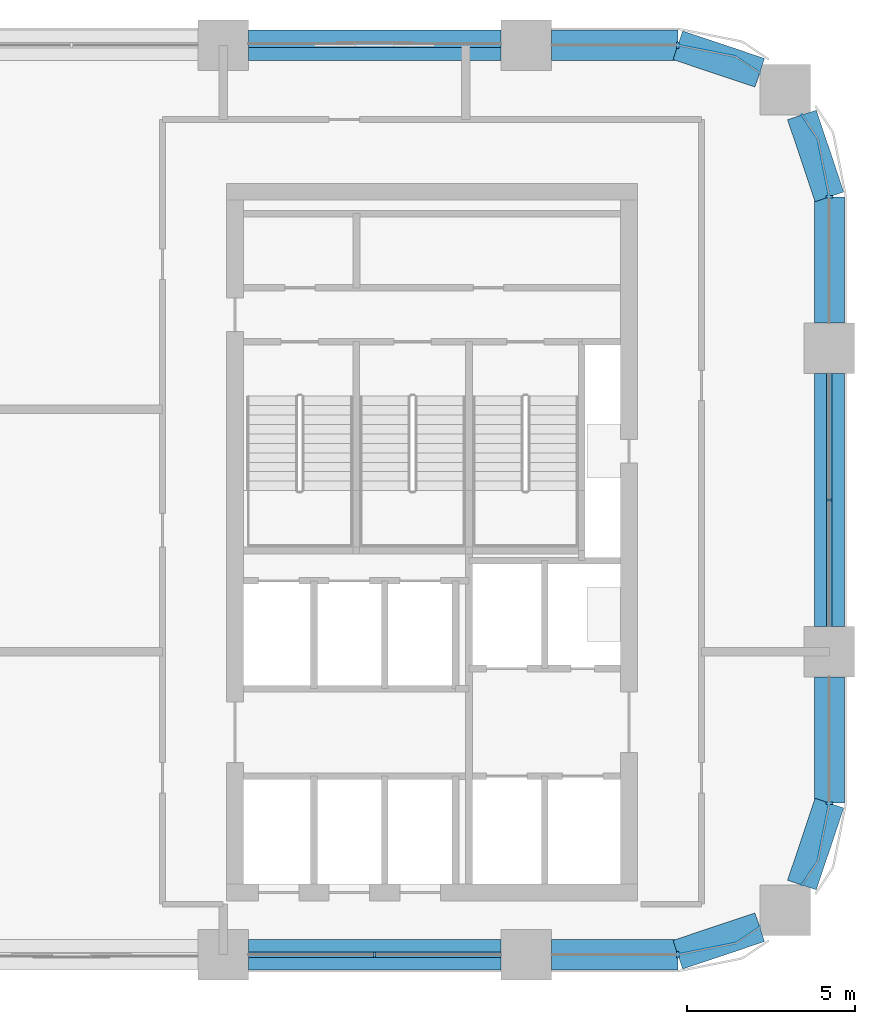
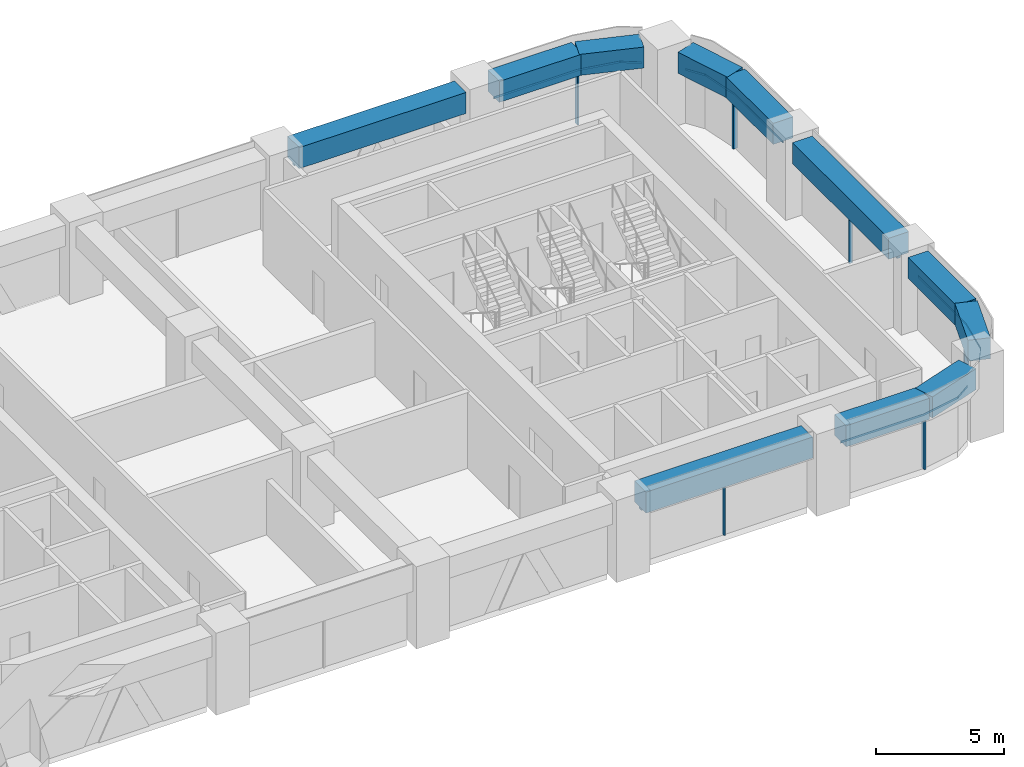
# One storey, part 5 of 18: 13 members, 11 beams, 7 elements without a shape of their own.
"""IFC4 building model written with IfcOpenShell, lengths in metres."""

import ifcopenshell
import ifcopenshell.guid

model = None  # the IFC model being written
_history = None  # IfcOwnerHistory: only IFC2X3 demands one
_inside = {}  # id of a spatial element -> (the spatial element, [elements in it])
_under = {}  # id of a project, library or spatial element -> (it, [spatial elements below it])
_declared = {}  # id of a project -> (the project, [libraries it declares])
_typed = {}  # id of a type object -> (the type object, [elements of that type])
_made_of = {}  # id of a material, layer set ... -> (it, [elements and type objects made of it])


def new_model(schema):
    """Start an empty IFC model of exactly this schema.

    Asked for "IFC4X3", IfcOpenShell would pick the latest addendum, in which some entities
    have other attributes; the version numbers below select the first issue.
    IFC2X3 requires an IfcOwnerHistory on every rooted entity: one is made here for all.
    """
    global model, _history
    if schema == "IFC4X3":
        model = ifcopenshell.file(schema_version=(4, 3, 0, 0))
    else:
        model = ifcopenshell.file(schema=schema)
    _inside.clear()
    _under.clear()
    _declared.clear()
    _typed.clear()
    _made_of.clear()
    _history = None
    if model.schema == "IFC2X3":
        org = make("IfcOrganization", Name="unknown")
        user = make(
            "IfcPersonAndOrganization",
            ThePerson=make("IfcPerson", FamilyName="unknown"),
            TheOrganization=org,
        )
        app = make(
            "IfcApplication",
            ApplicationDeveloper=org,
            Version="unknown",
            ApplicationFullName="unknown",
            ApplicationIdentifier="unknown",
        )
        _history = make(
            "IfcOwnerHistory",
            OwningUser=user,
            OwningApplication=app,
            ChangeAction="ADDED",
            CreationDate=0,
        )
    return model


def make(cls, **values):
    """One entity of the class cls with the attributes given. An attribute that is None is left unset."""
    return model.create_entity(
        cls, **{name: value for name, value in values.items() if value is not None}
    )


def rooted(cls, **values):
    """An entity with a GlobalId (a new one), such as an element, a storey or a relation."""
    return make(cls, GlobalId=ifcopenshell.guid.new(), OwnerHistory=_history, **values)


def si_unit(unit_type, name, prefix=None):
    """IfcSIUnit, for example si_unit("LENGTHUNIT", "METRE", prefix="MILLI")."""
    return make("IfcSIUnit", UnitType=unit_type, Prefix=prefix, Name=name)


def assignment(units):
    """IfcUnitAssignment: the units of a project."""
    return None if units is None else make("IfcUnitAssignment", Units=units)


def point(xyz):
    """IfcCartesianPoint."""
    return None if xyz is None else make("IfcCartesianPoint", Coordinates=xyz)


def direction(xyz):
    """IfcDirection."""
    return None if xyz is None else make("IfcDirection", DirectionRatios=xyz)


def frame(location, z_axis=None, x_axis=None):
    """IfcAxis2Placement3D, a coordinate frame: its origin and axes. An axis left out is left unset."""
    return make(
        "IfcAxis2Placement3D",
        Location=point(location),
        Axis=direction(z_axis),
        RefDirection=direction(x_axis),
    )


def frame_2d(location, x_axis=None):
    """IfcAxis2Placement2D, a coordinate frame in the plane: its origin and x axis."""
    return make(
        "IfcAxis2Placement2D", Location=point(location), RefDirection=direction(x_axis)
    )


def origin():
    """The frame at (0, 0, 0) with its axes left unset."""
    return frame((0.0, 0.0, 0.0))


def origin_2d():
    """The frame at (0, 0) in the plane with its x axis left unset."""
    return frame_2d((0.0, 0.0))


def place(relative_to, where):
    """IfcLocalPlacement: puts the frame where relative to a parent placement (None: the world)."""
    return make(
        "IfcLocalPlacement", PlacementRelTo=relative_to, RelativePlacement=where
    )


def context(
    kind, dimensions, precision=None, world=None, true_north=None, identifier=None
):
    """IfcGeometricRepresentationContext, for example the 3D "Model" context."""
    return make(
        "IfcGeometricRepresentationContext",
        ContextIdentifier=identifier,
        ContextType=kind,
        CoordinateSpaceDimension=dimensions,
        Precision=precision,
        WorldCoordinateSystem=world,
        TrueNorth=true_north,
    )


def subcontext(parent, identifier, kind, view, scale=None):
    """IfcGeometricRepresentationSubContext, for example "Body" below "Model"."""
    return make(
        "IfcGeometricRepresentationSubContext",
        ContextIdentifier=identifier,
        ContextType=kind,
        ParentContext=parent,
        TargetScale=scale,
        TargetView=view,
    )


def project(units=None, contexts=None):
    """IfcProject with its units and contexts."""
    return rooted(
        "IfcProject",
        Name="project",
        RepresentationContexts=contexts,
        UnitsInContext=assignment(units),
    )


def spatial(cls, under=None, at=None, **own):
    """A site, building, storey or space (cls), placed at a placement, below another one or the project."""
    s = rooted(cls, ObjectPlacement=at, **own)
    if under is not None:
        _under.setdefault(under.id(), (under, []))[1].append(s)
    return s


def polyline(points):
    """IfcPolyline through the points."""
    return make("IfcPolyline", Points=[point(p) for p in points])


def profile(cls, at=None, kind="AREA", **sizes):
    """A parametric profile (cls). Its sizes go by their IFC names, for example OverallWidth=200.0."""
    return make(cls, ProfileType=kind, Position=at, **sizes)


def rectangle(**sizes):
    """IfcRectangleProfileDef."""
    return profile("IfcRectangleProfileDef", **sizes)


def outline(outer, holes=None, kind="AREA"):
    """IfcArbitraryClosedProfileDef: a profile drawn as a closed curve; with holes, ...WithVoids."""
    if holes is None:
        return make("IfcArbitraryClosedProfileDef", ProfileType=kind, OuterCurve=outer)
    return make(
        "IfcArbitraryProfileDefWithVoids",
        ProfileType=kind,
        OuterCurve=outer,
        InnerCurves=holes,
    )


def extrude(swept, where, along, depth):
    """IfcExtrudedAreaSolid: the profile swept, set in the frame where, extruded along a direction by depth."""
    return make(
        "IfcExtrudedAreaSolid",
        SweptArea=swept,
        Position=where,
        ExtrudedDirection=direction(along),
        Depth=depth,
    )


def shape(context_of_items, identifier, shape_type, items):
    """IfcShapeRepresentation: the items that make up one representation, for example the "Body"."""
    return make(
        "IfcShapeRepresentation",
        ContextOfItems=context_of_items,
        RepresentationIdentifier=identifier,
        RepresentationType=shape_type,
        Items=items,
    )


def material(Name=None, Category=None):
    """IfcMaterial."""
    return make("IfcMaterial", Name=Name, Category=Category)


def material_profile(
    of_material, cross_section, Name=None, Category=None, Priority=None
):
    """IfcMaterialProfile: a cross section and its material."""
    return make(
        "IfcMaterialProfile",
        Name=Name,
        Material=of_material,
        Profile=cross_section,
        Priority=Priority,
        Category=Category,
    )


def profile_set(profiles, Name=None, composite=None):
    """IfcMaterialProfileSet."""
    return make(
        "IfcMaterialProfileSet",
        Name=Name,
        MaterialProfiles=profiles,
        CompositeProfile=composite,
    )


def made_of(thing, what):
    """Note that an element or type object is made of a material, layer set ...; save() writes the relation."""
    if what is not None:
        _made_of.setdefault(what.id(), (what, []))[1].append(thing)
    return thing


def type_object(cls, material=None, **own):
    """A type object (cls), such as IfcWallType, which elements share."""
    return made_of(rooted(cls, **own), material)


def element(
    cls,
    number,
    at=None,
    inside=None,
    cuts=None,
    type_object=None,
    material=None,
    context=None,
    identifier="Body",
    shape_type=None,
    held_by="IfcProductDefinitionShape",
    body=None,
    shapes=None,
    **own,
):
    """One element of the class cls, such as IfcWall. Its Tag is "e" and its number.

    at: its placement. inside: the storey or other place that contains it. cuts: it is an
    opening in that element (IfcRelVoidsElement). A single representation is given by context,
    identifier, shape_type and body (its items); several are given by shapes. held_by: the class
    of the entity that holds the representations. save() writes the other relations.
    """
    e = rooted(cls, Tag="e%d" % number, ObjectPlacement=at, **own)
    if body is not None:
        shapes = [shape(context, identifier, shape_type, body)]
    if shapes is not None:
        e.Representation = make(held_by, Representations=shapes)
    if inside is not None:
        _inside.setdefault(inside.id(), (inside, []))[1].append(e)
    if cuts is not None:
        rooted(
            "IfcRelVoidsElement", RelatingBuildingElement=cuts, RelatedOpeningElement=e
        )
    if type_object is not None:
        _typed.setdefault(type_object.id(), (type_object, []))[1].append(e)
    return made_of(e, material)


def aggregate(whole, parts):
    """IfcRelAggregates: a whole, such as a stair, and the parts it consists of."""
    return rooted("IfcRelAggregates", RelatingObject=whole, RelatedObjects=parts)


def save(model, path):
    """Write the relations noted so far, then the file.

    IfcRelAggregates (storeys below a building ...), IfcRelContainedInSpatialStructure (elements
    in a storey), IfcRelDefinesByType, IfcRelAssociatesMaterial and IfcRelDeclares: one each for
    every whole, place, type object, material and project.
    """
    for whole, parts in _under.values():
        aggregate(whole, parts)
    for where, things in _inside.values():
        rooted(
            "IfcRelContainedInSpatialStructure",
            RelatedElements=things,
            RelatingStructure=where,
        )
    for kind, things in _typed.values():
        rooted("IfcRelDefinesByType", RelatedObjects=things, RelatingType=kind)
    for what, things in _made_of.values():
        rooted("IfcRelAssociatesMaterial", RelatedObjects=things, RelatingMaterial=what)
    for by, libraries in _declared.values():
        rooted("IfcRelDeclares", RelatingContext=by, RelatedDefinitions=libraries)
    model.write(path)


model = new_model("IFC4")

# Units and contexts
model_context = context("Model", 3, precision=1e-05, world=origin(), true_north=direction((0.0, 1.0)))
body_context = subcontext(model_context, "Body", "Model", "MODEL_VIEW")
ifc_project = project(units=[si_unit("LENGTHUNIT", "METRE"), si_unit("AREAUNIT", "SQUARE_METRE"), si_unit("VOLUMEUNIT", "CUBIC_METRE"), si_unit("PLANEANGLEUNIT", "RADIAN"), si_unit("MASSUNIT", "GRAM", prefix="KILO")], contexts=[model_context])

# Site, building, storey
site_placement = place(None, origin())
site = spatial("IfcSite", under=ifc_project, at=site_placement, CompositionType="ELEMENT")
building_placement = place(site_placement, origin())
building = spatial("IfcBuilding", under=site, at=building_placement, Name="Tessera Arch", CompositionType="ELEMENT")
storey_placement = place(building_placement, frame((0.0, 0.0, 185.60009765625)))
storey = spatial("IfcBuildingStorey", under=building, at=storey_placement, Name="L44", CompositionType="ELEMENT", Elevation=185.60009765625)

# Curtain wall, member
ifc_material_1 = material(Name="CW1 curtain wall")
curtain_wall_type_1 = type_object("IfcCurtainWallType", Name="CW1 curtain wall", PredefinedType="NOTDEFINED", material=ifc_material_1)
curtain_wall_1_placement = place(storey_placement, origin())
curtain_wall_1 = element("IfcCurtainWall", 1, at=curtain_wall_1_placement, inside=storey, type_object=curtain_wall_type_1, Name="CW1 curtain wall E54.27/0 L44", PredefinedType="NOTDEFINED")
ifc_material_2 = material(Name="Anodised aluminium pale metal", Category="aluminium")
ifc_material_profile_1 = material_profile(ifc_material_2, rectangle(XDim=0.159912109375, YDim=0.06005859375, at=origin_2d()), Name="AL 60x160")
ifc_profile_set_1 = profile_set([ifc_material_profile_1], Name="Anodised aluminium pale metal")
member_type_1 = type_object("IfcMemberType", Name="CW1 mullion", PredefinedType="MULLION", material=ifc_profile_set_1)
member_1_placement = place(storey_placement, frame((54.0, 40.5, 0.0), z_axis=(0.0, 0.0, 1.0), x_axis=(-1.0, 0.0, 0.0)))
member_1 = element("IfcMember", 2, at=member_1_placement, type_object=member_type_1, Name="CW1 mullion E54.27/0 1", PredefinedType="MULLION", context=body_context, shape_type="SweptSolid", body=[
    extrude(rectangle(XDim=0.159912109375, YDim=0.06005859375, at=origin_2d()), origin(), (0.0, 0.0, 1.0), 2.5),
])

curtain_wall_2_placement = place(storey_placement, origin())
curtain_wall_2 = element("IfcCurtainWall", 3, at=curtain_wall_2_placement, inside=storey, type_object=curtain_wall_type_1, Name="CW1 curtain wall S27.0/4 L44", PredefinedType="NOTDEFINED")
member_2_placement = place(storey_placement, frame((40.5, 27.0, 0.0), z_axis=(0.0, 0.0, 1.0), x_axis=(0.0, 1.0, 0.0)))
member_2 = element("IfcMember", 4, at=member_2_placement, type_object=member_type_1, Name="CW1 mullion S27.0/4 1", PredefinedType="MULLION", context=body_context, shape_type="SweptSolid", body=[
    extrude(rectangle(XDim=0.159912109375, YDim=0.06005859375, at=origin_2d()), origin(), (0.0, 0.0, 1.0), 2.5),
])

# Member
ifc_material_3 = material(Name="Anodised aluminium pale metal", Category="aluminium")
ifc_material_profile_2 = material_profile(ifc_material_3, rectangle(XDim=0.159912109375, YDim=0.10009765625, at=origin_2d()), Name="AL 160x100")
ifc_profile_set_2 = profile_set([ifc_material_profile_2], Name="Anodised aluminium pale metal")
member_type_2 = type_object("IfcMemberType", Name="CW1 transom", PredefinedType="USERDEFINED", material=ifc_profile_set_2)
member_3_placement = place(storey_placement, frame((54.0, 36.75, 2.5498046875), z_axis=(0.0, 1.0, 0.0), x_axis=(-1.0, 0.0, 0.0)))
member_3 = element("IfcMember", 5, at=member_3_placement, type_object=member_type_2, Name="CW1 transom E54.27/0 1.1", ObjectType="TRANSOM", PredefinedType="USERDEFINED", context=body_context, shape_type="SweptSolid", body=[
    extrude(rectangle(XDim=0.159912109375, YDim=0.10009765625, at=origin_2d()), origin(), (0.0, 0.0, 1.0), 7.5),
])

aggregate(curtain_wall_1, [member_1, member_3])

member_4_placement = place(storey_placement, frame((36.75, 27.0, 2.5498046875), z_axis=(1.0, 0.0, 0.0), x_axis=(0.0, 1.0, 0.0)))
member_4 = element("IfcMember", 6, at=member_4_placement, type_object=member_type_2, Name="CW1 transom S27.0/4 1.1", ObjectType="TRANSOM", PredefinedType="USERDEFINED", context=body_context, shape_type="SweptSolid", body=[
    extrude(rectangle(XDim=0.159912109375, YDim=0.10009765625, at=origin_2d()), origin(), (0.0, 0.0, 1.0), 7.5),
])

aggregate(curtain_wall_2, [member_2, member_4])

# Curtain wall, member
ifc_material_4 = material(Name="CW2 curtain wall")
curtain_wall_type_2 = type_object("IfcCurtainWallType", Name="CW2 curtain wall", PredefinedType="NOTDEFINED", material=ifc_material_4)
curtain_wall_3_placement = place(storey_placement, origin())
curtain_wall_3 = element("IfcCurtainWall", 7, at=curtain_wall_3_placement, inside=storey, type_object=curtain_wall_type_2, Name="CW2 curtain wall E54.27/1 L44", PredefinedType="NOTDEFINED")
ifc_material_5 = material(Name="Anodised aluminium pale metal", Category="aluminium")
ifc_material_profile_3 = material_profile(ifc_material_5, rectangle(XDim=0.199951171875, YDim=0.080078125, at=origin_2d()), Name="AL 80x200")
ifc_profile_set_3 = profile_set([ifc_material_profile_3], Name="Anodised aluminium pale metal")
member_type_3 = type_object("IfcMemberType", Name="CW2 mullion", PredefinedType="MULLION", material=ifc_profile_set_3)
member_5_placement = place(storey_placement, frame((54.0, 49.5, 0.0), z_axis=(0.0, 0.0, 1.0), x_axis=(-1.0, 0.0, 0.0)))
member_5 = element("IfcMember", 8, at=member_5_placement, type_object=member_type_3, Name="CW2 mullion E54.27/1 1", PredefinedType="MULLION", context=body_context, shape_type="SweptSolid", body=[
    extrude(rectangle(XDim=0.199951171875, YDim=0.080078125, at=origin_2d()), origin(), (0.0, 0.0, 1.0), 2.5),
])

curtain_wall_4_placement = place(storey_placement, origin())
curtain_wall_4 = element("IfcCurtainWall", 9, at=curtain_wall_4_placement, inside=storey, type_object=curtain_wall_type_2, Name="CW2 curtain wall N54.0/0 L44", PredefinedType="NOTDEFINED")
member_6_placement = place(storey_placement, frame((49.5, 54.0, 0.0), z_axis=(0.0, 0.0, 1.0), x_axis=(0.0, -1.0, 0.0)))
member_6 = element("IfcMember", 10, at=member_6_placement, type_object=member_type_3, Name="CW2 mullion N54.0/0 1", PredefinedType="MULLION", context=body_context, shape_type="SweptSolid", body=[
    extrude(rectangle(XDim=0.199951171875, YDim=0.080078125, at=origin_2d()), origin(), (0.0, 0.0, 1.0), 2.5),
])

curtain_wall_5_placement = place(storey_placement, origin())
curtain_wall_5 = element("IfcCurtainWall", 11, at=curtain_wall_5_placement, inside=storey, type_object=curtain_wall_type_2, Name="CW2 curtain wall S27.0/5 L44", PredefinedType="NOTDEFINED")
member_7_placement = place(storey_placement, frame((49.5, 27.0, 0.0), z_axis=(0.0, 0.0, 1.0), x_axis=(0.0, 1.0, 0.0)))
member_7 = element("IfcMember", 12, at=member_7_placement, type_object=member_type_3, Name="CW2 mullion S27.0/5 1", PredefinedType="MULLION", context=body_context, shape_type="SweptSolid", body=[
    extrude(rectangle(XDim=0.199951171875, YDim=0.080078125, at=origin_2d()), origin(), (0.0, 0.0, 1.0), 2.5),
])

curtain_wall_6_placement = place(storey_placement, origin())
curtain_wall_6 = element("IfcCurtainWall", 13, at=curtain_wall_6_placement, inside=storey, type_object=curtain_wall_type_2, Name="CW2 curtain wall E54.27/2 L44", PredefinedType="NOTDEFINED")
member_8_placement = place(storey_placement, frame((54.0, 31.5, 0.0), z_axis=(0.0, 0.0, 1.0), x_axis=(-1.0, 0.0, 0.0)))
member_8 = element("IfcMember", 14, at=member_8_placement, type_object=member_type_3, Name="CW2 mullion E54.27/2 1", PredefinedType="MULLION", context=body_context, shape_type="SweptSolid", body=[
    extrude(rectangle(XDim=0.199951171875, YDim=0.080078125, at=origin_2d()), origin(), (0.0, 0.0, 1.0), 2.5),
])

# Member
ifc_material_6 = material(Name="Anodised aluminium pale metal", Category="aluminium")
ifc_material_profile_4 = material_profile(ifc_material_6, rectangle(XDim=0.199951171875, YDim=0.10009765625, at=origin_2d()), Name="AL 200x100")
ifc_profile_set_4 = profile_set([ifc_material_profile_4], Name="Anodised aluminium pale metal")
member_type_4 = type_object("IfcMemberType", Name="CW2 transom", PredefinedType="USERDEFINED", material=ifc_profile_set_4)
member_9_placement = place(storey_placement, frame((0.0, 0.0, 2.5)))
member_9 = element("IfcMember", 15, at=member_9_placement, type_object=member_type_4, Name="CW2 transom E54.27/1 1", ObjectType="TRANSOM", PredefinedType="USERDEFINED", context=body_context, shape_type="SweptSolid", body=[
    extrude(outline(polyline([(53.989990234375, 49.4990234375), (53.989990234375, 45.75), (54.010009765625, 45.75), (54.010009765625, 49.5009765625), (53.6669921875, 51.22607421875), (53.19140625, 51.9375), (53.1748046875, 51.926513671875), (53.648193359375, 51.21826171875), (53.989990234375, 49.4990234375)])), origin(), (0.0, 0.0, 1.0), 0.099853515625),
])

aggregate(curtain_wall_3, [member_5, member_9])

member_10_placement = place(storey_placement, frame((0.0, 0.0, 2.5)))
member_10 = element("IfcMember", 16, at=member_10_placement, type_object=member_type_4, Name="CW2 transom N54.0/0 1", ObjectType="TRANSOM", PredefinedType="USERDEFINED", context=body_context, shape_type="SweptSolid", body=[
    extrude(outline(polyline([(51.21826171875, 53.648193359375), (51.926513671875, 53.1748046875), (51.9375, 53.19140625), (51.22607421875, 53.6669921875), (49.5009765625, 54.010009765625), (45.75, 54.010009765625), (45.75, 53.989990234375), (49.4990234375, 53.989990234375), (51.21826171875, 53.648193359375)])), origin(), (0.0, 0.0, 1.0), 0.099853515625),
])

aggregate(curtain_wall_4, [member_6, member_10])

member_11_placement = place(storey_placement, frame((0.0, 0.0, 2.5)))
member_11 = element("IfcMember", 17, at=member_11_placement, type_object=member_type_4, Name="CW2 transom S27.0/5 1", ObjectType="TRANSOM", PredefinedType="USERDEFINED", context=body_context, shape_type="SweptSolid", body=[
    extrude(outline(polyline([(49.4990234375, 27.010009765625), (45.75, 27.010009765625), (45.75, 26.989990234375), (49.5009765625, 26.989990234375), (51.22607421875, 27.3330078125), (51.9375, 27.80859375), (51.926513671875, 27.8251953125), (51.21826171875, 27.351806640625), (49.4990234375, 27.010009765625)])), origin(), (0.0, 0.0, 1.0), 0.099853515625),
])

aggregate(curtain_wall_5, [member_7, member_11])

member_12_placement = place(storey_placement, frame((0.0, 0.0, 2.5)))
member_12 = element("IfcMember", 18, at=member_12_placement, type_object=member_type_4, Name="CW2 transom E54.27/2 1", ObjectType="TRANSOM", PredefinedType="USERDEFINED", context=body_context, shape_type="SweptSolid", body=[
    extrude(outline(polyline([(53.648193359375, 29.78173828125), (53.1748046875, 29.073486328125), (53.19140625, 29.0625), (53.6669921875, 29.77392578125), (54.010009765625, 31.4990234375), (54.010009765625, 35.25), (53.989990234375, 35.25), (53.989990234375, 31.5009765625), (53.648193359375, 29.78173828125)])), origin(), (0.0, 0.0, 1.0), 0.099853515625),
])

aggregate(curtain_wall_6, [member_8, member_12])

# Curtain wall, member
ifc_material_7 = material(Name="CW3 curtain wall")
curtain_wall_type_3 = type_object("IfcCurtainWallType", Name="CW3 curtain wall", PredefinedType="NOTDEFINED", material=ifc_material_7)
curtain_wall_7_placement = place(storey_placement, origin())
curtain_wall_7 = element("IfcCurtainWall", 19, at=curtain_wall_7_placement, inside=storey, type_object=curtain_wall_type_3, Name="CW3 curtain wall N54.0/1 L44", PredefinedType="NOTDEFINED")
ifc_material_8 = material(Name="Anodised aluminium pale metal", Category="aluminium")
ifc_material_profile_5 = material_profile(ifc_material_8, rectangle(XDim=0.139892578125, YDim=0.10009765625, at=origin_2d()), Name="AL 140x100")
ifc_profile_set_5 = profile_set([ifc_material_profile_5], Name="Anodised aluminium pale metal")
member_type_5 = type_object("IfcMemberType", Name="CW3 transom", PredefinedType="USERDEFINED", material=ifc_profile_set_5)
member_13_placement = place(storey_placement, frame((44.25, 54.0, 2.5498046875), z_axis=(-1.0, 0.0, 0.0), x_axis=(0.0, -1.0, 0.0)))
member_13 = element("IfcMember", 20, at=member_13_placement, type_object=member_type_5, Name="CW3 transom N54.0/1 1.1", ObjectType="TRANSOM", PredefinedType="USERDEFINED", context=body_context, shape_type="SweptSolid", body=[
    extrude(rectangle(XDim=0.139892578125, YDim=0.10009765625, at=origin_2d()), origin(), (0.0, 0.0, 1.0), 7.5),
])
aggregate(curtain_wall_7, [member_13])

# Beams
ifc_material_9 = material(Name="Concrete C70/85", Category="concrete")
ifc_material_profile_6 = material_profile(ifc_material_9, rectangle(XDim=0.89990234375, YDim=1.0, at=origin_2d()), Name="RC spandrel beam 900 x 1000 Concrete C70/85")
ifc_profile_set_6 = profile_set([ifc_material_profile_6], Name="Concrete C70/85")
beam_type = type_object("IfcBeamType", Name="RC spandrel beam 900 x 1000 Concrete C70/85", PredefinedType="BEAM", material=ifc_profile_set_6)
beam_1_placement = place(storey_placement, frame((54.0, 36.75, 3.099853515625), z_axis=(0.0, 1.0, 0.0), x_axis=(-1.0, 0.0, 0.0)))
element("IfcBeam", 21, at=beam_1_placement, inside=storey, type_object=beam_type, Name="Spandrel beam L44 E54.27/0", PredefinedType="BEAM", context=body_context, shape_type="SweptSolid", body=[
    extrude(rectangle(XDim=0.89990234375, YDim=1.0, at=origin_2d()), origin(), (0.0, 0.0, 1.0), 7.5),
])
beam_2_placement = place(storey_placement, frame((54.0, 45.75, 3.099853515625), z_axis=(0.0, 1.0, 0.0), x_axis=(-1.0, 0.0, 0.0)))
element("IfcBeam", 22, at=beam_2_placement, inside=storey, type_object=beam_type, Name="Spandrel beam L44 E54.27/1.1", PredefinedType="BEAM", context=body_context, shape_type="SweptSolid", body=[
    extrude(rectangle(XDim=0.89990234375, YDim=1.0, at=origin_2d()), origin(), (0.0, 0.0, 1.0), 3.75),
])
for number, where, z_axis, x_axis, name in (
    (23, (54.0, 49.5, 3.099853515625), (-0.31842525032, 0.947947973234, 0.0), (-0.947947973234, -0.31842525032, 0.0), "Spandrel beam L44 E54.27/1.2"),
    (24, (51.931884765625, 53.18310546875, 3.099853515625), (-0.947947973234, 0.31842525032, 0.0), (-0.31842525032, -0.947947973234, 0.0), "Spandrel beam L44 N54.0/0.1"),
):
    element("IfcBeam", number, at=place(storey_placement, frame(where, z_axis=z_axis, x_axis=x_axis)), inside=storey, type_object=beam_type, Name=name, PredefinedType="BEAM", context=body_context, shape_type="SweptSolid", body=[
        extrude(rectangle(XDim=0.89990234375, YDim=1.0, at=origin_2d()), origin(), (0.0, 0.0, 1.0), 2.5654296875),
    ])
beam_3_placement = place(storey_placement, frame((49.5, 54.0, 3.099853515625), z_axis=(-1.0, 0.0, 0.0), x_axis=(0.0, -1.0, 0.0)))
element("IfcBeam", 25, at=beam_3_placement, inside=storey, type_object=beam_type, Name="Spandrel beam L44 N54.0/0.2", PredefinedType="BEAM", context=body_context, shape_type="SweptSolid", body=[
    extrude(rectangle(XDim=0.89990234375, YDim=1.0, at=origin_2d()), origin(), (0.0, 0.0, 1.0), 3.75),
])
for number, where, z_axis, x_axis, name in (
    (26, (44.25, 54.0, 3.099853515625), (-1.0, 0.0, 0.0), (0.0, -1.0, 0.0), "Spandrel beam L44 N54.0/1"),
    (27, (36.75, 27.0, 3.099853515625), (1.0, 0.0, 0.0), (0.0, 1.0, 0.0), "Spandrel beam L44 S27.0/4"),
):
    element("IfcBeam", number, at=place(storey_placement, frame(where, z_axis=z_axis, x_axis=x_axis)), inside=storey, type_object=beam_type, Name=name, PredefinedType="BEAM", context=body_context, shape_type="SweptSolid", body=[
        extrude(rectangle(XDim=0.89990234375, YDim=1.0, at=origin_2d()), origin(), (0.0, 0.0, 1.0), 7.5),
    ])
beam_4_placement = place(storey_placement, frame((45.75, 27.0, 3.099853515625), z_axis=(1.0, 0.0, 0.0), x_axis=(0.0, 1.0, 0.0)))
element("IfcBeam", 28, at=beam_4_placement, inside=storey, type_object=beam_type, Name="Spandrel beam L44 S27.0/5.1", PredefinedType="BEAM", context=body_context, shape_type="SweptSolid", body=[
    extrude(rectangle(XDim=0.89990234375, YDim=1.0, at=origin_2d()), origin(), (0.0, 0.0, 1.0), 3.75),
])
for number, where, z_axis, x_axis, name in (
    (29, (49.5, 27.0, 3.099853515625), (0.947947973234, 0.31842525032, 0.0), (-0.31842525032, 0.947947973234, 0.0), "Spandrel beam L44 S27.0/5.2"),
    (30, (53.18310546875, 29.068115234375, 3.099853515625), (0.31842525032, 0.947947973234, 0.0), (-0.947947973234, 0.31842525032, 0.0), "Spandrel beam L44 E54.27/2.1"),
):
    element("IfcBeam", number, at=place(storey_placement, frame(where, z_axis=z_axis, x_axis=x_axis)), inside=storey, type_object=beam_type, Name=name, PredefinedType="BEAM", context=body_context, shape_type="SweptSolid", body=[
        extrude(rectangle(XDim=0.89990234375, YDim=1.0, at=origin_2d()), origin(), (0.0, 0.0, 1.0), 2.5654296875),
    ])
beam_5_placement = place(storey_placement, frame((54.0, 31.5, 3.099853515625), z_axis=(0.0, 1.0, 0.0), x_axis=(-1.0, 0.0, 0.0)))
element("IfcBeam", 31, at=beam_5_placement, inside=storey, type_object=beam_type, Name="Spandrel beam L44 E54.27/2.2", PredefinedType="BEAM", context=body_context, shape_type="SweptSolid", body=[
    extrude(rectangle(XDim=0.89990234375, YDim=1.0, at=origin_2d()), origin(), (0.0, 0.0, 1.0), 3.75),
])

save(model, "model.ifc")
